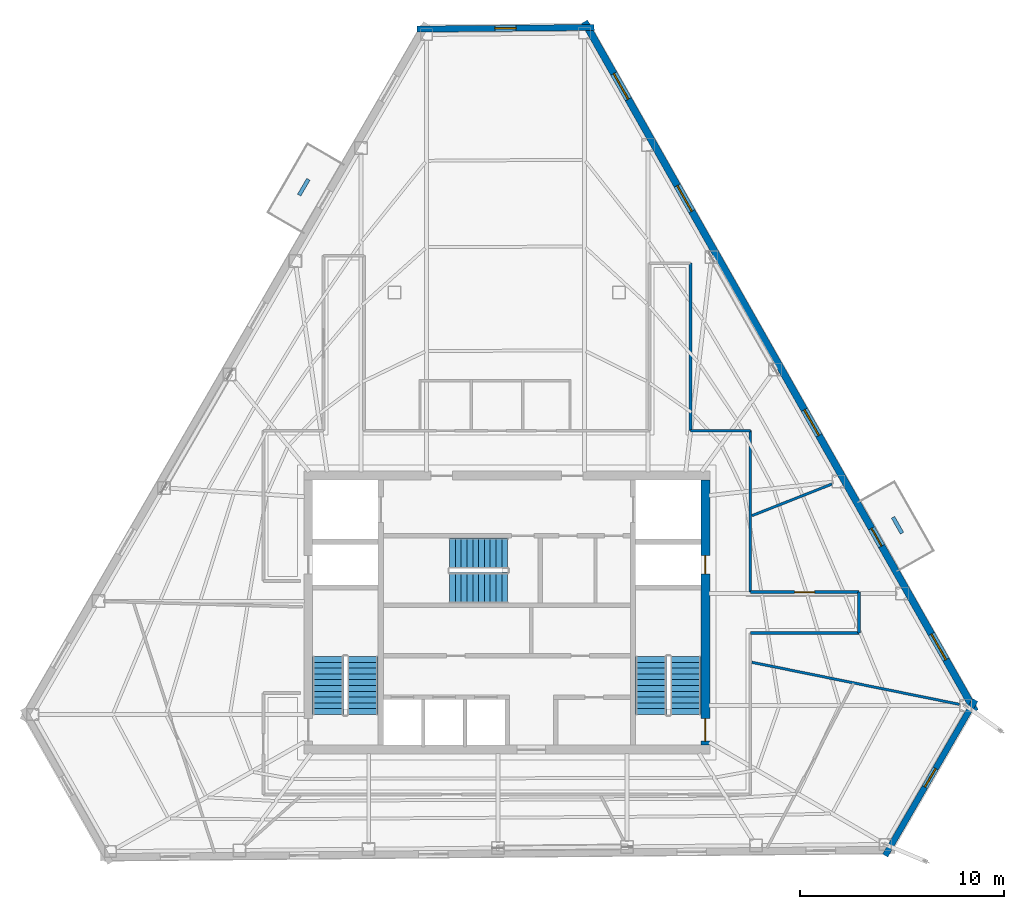
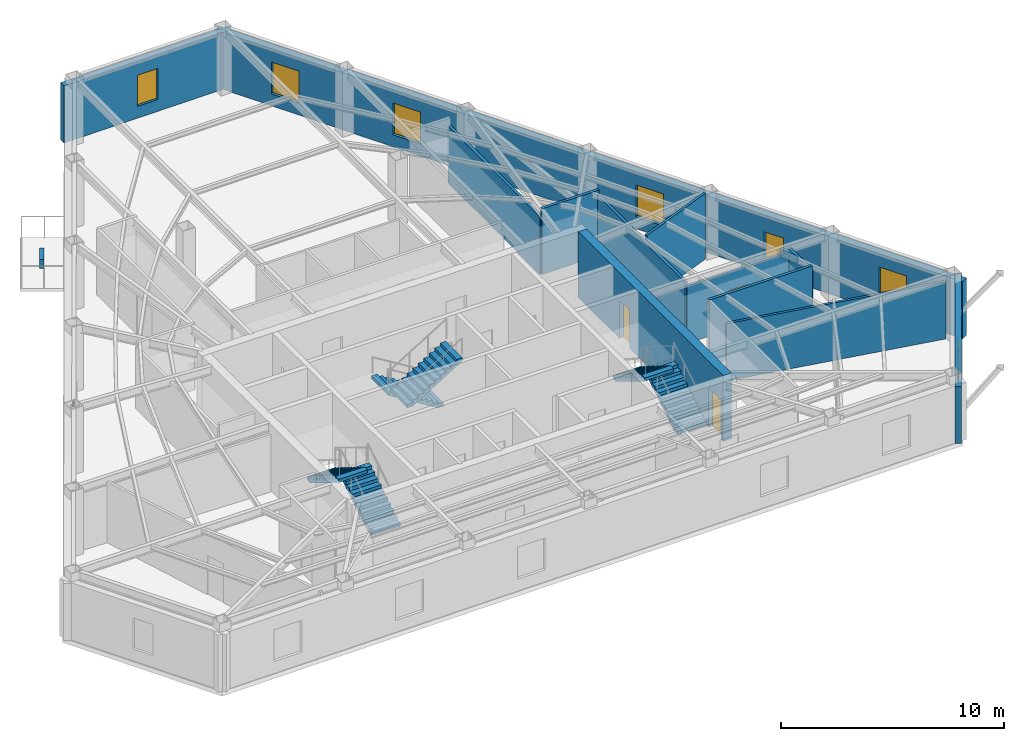
# One storey, part 8 of 10: 14 walls, 6 stair flights, 6 windows, 4 doors, 10 openings, 3 elements without a shape of their own.
"""IFC4 building model written with IfcOpenShell, lengths in metres."""

import ifcopenshell
import ifcopenshell.guid

model = None  # the IFC model being written
_history = None  # IfcOwnerHistory: only IFC2X3 demands one
_inside = {}  # id of a spatial element -> (the spatial element, [elements in it])
_under = {}  # id of a project, library or spatial element -> (it, [spatial elements below it])
_declared = {}  # id of a project -> (the project, [libraries it declares])
_typed = {}  # id of a type object -> (the type object, [elements of that type])
_made_of = {}  # id of a material, layer set ... -> (it, [elements and type objects made of it])


def new_model(schema):
    """Start an empty IFC model of exactly this schema.

    Asked for "IFC4X3", IfcOpenShell would pick the latest addendum, in which some entities
    have other attributes; the version numbers below select the first issue.
    IFC2X3 requires an IfcOwnerHistory on every rooted entity: one is made here for all.
    """
    global model, _history
    if schema == "IFC4X3":
        model = ifcopenshell.file(schema_version=(4, 3, 0, 0))
    else:
        model = ifcopenshell.file(schema=schema)
    _inside.clear()
    _under.clear()
    _declared.clear()
    _typed.clear()
    _made_of.clear()
    _history = None
    if model.schema == "IFC2X3":
        org = make("IfcOrganization", Name="unknown")
        user = make(
            "IfcPersonAndOrganization",
            ThePerson=make("IfcPerson", FamilyName="unknown"),
            TheOrganization=org,
        )
        app = make(
            "IfcApplication",
            ApplicationDeveloper=org,
            Version="unknown",
            ApplicationFullName="unknown",
            ApplicationIdentifier="unknown",
        )
        _history = make(
            "IfcOwnerHistory",
            OwningUser=user,
            OwningApplication=app,
            ChangeAction="ADDED",
            CreationDate=0,
        )
    return model


def make(cls, **values):
    """One entity of the class cls with the attributes given. An attribute that is None is left unset."""
    return model.create_entity(
        cls, **{name: value for name, value in values.items() if value is not None}
    )


def rooted(cls, **values):
    """An entity with a GlobalId (a new one), such as an element, a storey or a relation."""
    return make(cls, GlobalId=ifcopenshell.guid.new(), OwnerHistory=_history, **values)


def si_unit(unit_type, name, prefix=None):
    """IfcSIUnit, for example si_unit("LENGTHUNIT", "METRE", prefix="MILLI")."""
    return make("IfcSIUnit", UnitType=unit_type, Prefix=prefix, Name=name)


def assignment(units):
    """IfcUnitAssignment: the units of a project."""
    return None if units is None else make("IfcUnitAssignment", Units=units)


def point(xyz):
    """IfcCartesianPoint."""
    return None if xyz is None else make("IfcCartesianPoint", Coordinates=xyz)


def direction(xyz):
    """IfcDirection."""
    return None if xyz is None else make("IfcDirection", DirectionRatios=xyz)


def frame(location, z_axis=None, x_axis=None):
    """IfcAxis2Placement3D, a coordinate frame: its origin and axes. An axis left out is left unset."""
    return make(
        "IfcAxis2Placement3D",
        Location=point(location),
        Axis=direction(z_axis),
        RefDirection=direction(x_axis),
    )


def frame_2d(location, x_axis=None):
    """IfcAxis2Placement2D, a coordinate frame in the plane: its origin and x axis."""
    return make(
        "IfcAxis2Placement2D", Location=point(location), RefDirection=direction(x_axis)
    )


def origin():
    """The frame at (0, 0, 0) with its axes left unset."""
    return frame((0.0, 0.0, 0.0))


def place(relative_to, where):
    """IfcLocalPlacement: puts the frame where relative to a parent placement (None: the world)."""
    return make(
        "IfcLocalPlacement", PlacementRelTo=relative_to, RelativePlacement=where
    )


def context(
    kind, dimensions, precision=None, world=None, true_north=None, identifier=None
):
    """IfcGeometricRepresentationContext, for example the 3D "Model" context."""
    return make(
        "IfcGeometricRepresentationContext",
        ContextIdentifier=identifier,
        ContextType=kind,
        CoordinateSpaceDimension=dimensions,
        Precision=precision,
        WorldCoordinateSystem=world,
        TrueNorth=true_north,
    )


def subcontext(parent, identifier, kind, view, scale=None):
    """IfcGeometricRepresentationSubContext, for example "Body" below "Model"."""
    return make(
        "IfcGeometricRepresentationSubContext",
        ContextIdentifier=identifier,
        ContextType=kind,
        ParentContext=parent,
        TargetScale=scale,
        TargetView=view,
    )


def project(units=None, contexts=None):
    """IfcProject with its units and contexts."""
    return rooted(
        "IfcProject",
        Name="project",
        RepresentationContexts=contexts,
        UnitsInContext=assignment(units),
    )


def spatial(cls, under=None, at=None, **own):
    """A site, building, storey or space (cls), placed at a placement, below another one or the project."""
    s = rooted(cls, ObjectPlacement=at, **own)
    if under is not None:
        _under.setdefault(under.id(), (under, []))[1].append(s)
    return s


def polyline(points):
    """IfcPolyline through the points."""
    return make("IfcPolyline", Points=[point(p) for p in points])


def profile(cls, at=None, kind="AREA", **sizes):
    """A parametric profile (cls). Its sizes go by their IFC names, for example OverallWidth=200.0."""
    return make(cls, ProfileType=kind, Position=at, **sizes)


def rectangle(**sizes):
    """IfcRectangleProfileDef."""
    return profile("IfcRectangleProfileDef", **sizes)


def outline(outer, holes=None, kind="AREA"):
    """IfcArbitraryClosedProfileDef: a profile drawn as a closed curve; with holes, ...WithVoids."""
    if holes is None:
        return make("IfcArbitraryClosedProfileDef", ProfileType=kind, OuterCurve=outer)
    return make(
        "IfcArbitraryProfileDefWithVoids",
        ProfileType=kind,
        OuterCurve=outer,
        InnerCurves=holes,
    )


def extrude(swept, where, along, depth):
    """IfcExtrudedAreaSolid: the profile swept, set in the frame where, extruded along a direction by depth."""
    return make(
        "IfcExtrudedAreaSolid",
        SweptArea=swept,
        Position=where,
        ExtrudedDirection=direction(along),
        Depth=depth,
    )


def shape(context_of_items, identifier, shape_type, items):
    """IfcShapeRepresentation: the items that make up one representation, for example the "Body"."""
    return make(
        "IfcShapeRepresentation",
        ContextOfItems=context_of_items,
        RepresentationIdentifier=identifier,
        RepresentationType=shape_type,
        Items=items,
    )


def material(Name=None, Category=None):
    """IfcMaterial."""
    return make("IfcMaterial", Name=Name, Category=Category)


def layer(
    of_material, thickness, ventilated=None, Name=None, Category=None, Priority=None
):
    """IfcMaterialLayer: one layer of a wall or slab, of a material (None: an air gap)."""
    return make(
        "IfcMaterialLayer",
        Material=of_material,
        LayerThickness=thickness,
        IsVentilated=ventilated,
        Name=Name,
        Category=Category,
        Priority=Priority,
    )


def layer_set(layers, Name=None):
    """IfcMaterialLayerSet."""
    return make("IfcMaterialLayerSet", MaterialLayers=layers, LayerSetName=Name)


def made_of(thing, what):
    """Note that an element or type object is made of a material, layer set ...; save() writes the relation."""
    if what is not None:
        _made_of.setdefault(what.id(), (what, []))[1].append(thing)
    return thing


def type_object(cls, material=None, **own):
    """A type object (cls), such as IfcWallType, which elements share."""
    return made_of(rooted(cls, **own), material)


def element(
    cls,
    number,
    at=None,
    inside=None,
    cuts=None,
    type_object=None,
    material=None,
    context=None,
    identifier="Body",
    shape_type=None,
    held_by="IfcProductDefinitionShape",
    body=None,
    shapes=None,
    **own,
):
    """One element of the class cls, such as IfcWall. Its Tag is "e" and its number.

    at: its placement. inside: the storey or other place that contains it. cuts: it is an
    opening in that element (IfcRelVoidsElement). A single representation is given by context,
    identifier, shape_type and body (its items); several are given by shapes. held_by: the class
    of the entity that holds the representations. save() writes the other relations.
    """
    e = rooted(cls, Tag="e%d" % number, ObjectPlacement=at, **own)
    if body is not None:
        shapes = [shape(context, identifier, shape_type, body)]
    if shapes is not None:
        e.Representation = make(held_by, Representations=shapes)
    if inside is not None:
        _inside.setdefault(inside.id(), (inside, []))[1].append(e)
    if cuts is not None:
        rooted(
            "IfcRelVoidsElement", RelatingBuildingElement=cuts, RelatedOpeningElement=e
        )
    if type_object is not None:
        _typed.setdefault(type_object.id(), (type_object, []))[1].append(e)
    return made_of(e, material)


def fill(opening, filler):
    """IfcRelFillsElement: the door or window that sits in an opening."""
    return rooted(
        "IfcRelFillsElement",
        RelatingOpeningElement=opening,
        RelatedBuildingElement=filler,
    )


def aggregate(whole, parts):
    """IfcRelAggregates: a whole, such as a stair, and the parts it consists of."""
    return rooted("IfcRelAggregates", RelatingObject=whole, RelatedObjects=parts)


def save(model, path):
    """Write the relations noted so far, then the file.

    IfcRelAggregates (storeys below a building ...), IfcRelContainedInSpatialStructure (elements
    in a storey), IfcRelDefinesByType, IfcRelAssociatesMaterial and IfcRelDeclares: one each for
    every whole, place, type object, material and project.
    """
    for whole, parts in _under.values():
        aggregate(whole, parts)
    for where, things in _inside.values():
        rooted(
            "IfcRelContainedInSpatialStructure",
            RelatedElements=things,
            RelatingStructure=where,
        )
    for kind, things in _typed.values():
        rooted("IfcRelDefinesByType", RelatedObjects=things, RelatingType=kind)
    for what, things in _made_of.values():
        rooted("IfcRelAssociatesMaterial", RelatedObjects=things, RelatingMaterial=what)
    for by, libraries in _declared.values():
        rooted("IfcRelDeclares", RelatingContext=by, RelatedDefinitions=libraries)
    model.write(path)


model = new_model("IFC4")

# Units and contexts
model_context = context("Model", 3, precision=1e-05, world=origin(), true_north=direction((0.0, 1.0)))
body_context = subcontext(model_context, "Body", "Model", "MODEL_VIEW")
ifc_project = project(units=[si_unit("LENGTHUNIT", "METRE"), si_unit("AREAUNIT", "SQUARE_METRE"), si_unit("VOLUMEUNIT", "CUBIC_METRE"), si_unit("PLANEANGLEUNIT", "RADIAN"), si_unit("MASSUNIT", "GRAM", prefix="KILO")], contexts=[model_context])

# Site, building, storey
site_placement = place(None, origin())
site = spatial("IfcSite", under=ifc_project, at=site_placement, CompositionType="ELEMENT")
building_placement = place(site_placement, origin())
building = spatial("IfcBuilding", under=site, at=building_placement, Name="Kavelnor Concourse Tower", CompositionType="ELEMENT")
storey_placement = place(building_placement, frame((0.0, 0.0, 222.75)))
storey = spatial("IfcBuildingStorey", under=building, at=storey_placement, Name="L56", CompositionType="ELEMENT", Elevation=222.75)

# Wall, openings, doors
ifc_material_1 = material(Name="Concrete C50/60", Category="concrete")
ifc_layer_1 = layer(ifc_material_1, 0.43994140625, Name="Concrete C50/60")
ifc_layer_set_1 = layer_set([ifc_layer_1], Name="Concrete C50/60")
wall_type_1 = type_object("IfcWallType", Name="WL-CORE-Z3-440", PredefinedType="SOLIDWALL", material=ifc_layer_set_1)
wall_1_placement = place(storey_placement, frame((47.739990234375, 9.60009765625, 0.0), z_axis=(0.0, 0.0, 1.0), x_axis=(0.0, 1.0, 0.0)))
wall_1 = element("IfcWall", 1, at=wall_1_placement, inside=storey, type_object=wall_type_1, Name="L56 Central Core East Shear Wall", PredefinedType="SOLIDWALL", context=body_context, shape_type="SweptSolid", body=[
    extrude(rectangle(XDim=13.0, YDim=0.43994140625, at=frame_2d((6.5, 0.0))), origin(), (0.0, 0.0, 1.0), 3.60009765625),
])
opening_1_placement = place(wall_1_placement, frame((0.199951171875, 0.0, 0.0)))
opening_1 = element("IfcOpeningElement", 2, at=opening_1_placement, cuts=wall_1, Name="Opening FD-110", PredefinedType="OPENING", context=body_context, shape_type="SweptSolid", body=[
    extrude(rectangle(XDim=1.10009765625, YDim=2.14990234375, at=frame_2d((0.550048828125, 1.074951171875))), frame((0.0, 0.22998046875, 0.0), z_axis=(0.0, -1.0, 0.0), x_axis=(1.0, 0.0, 0.0)), (0.0, 0.0, 1.0), 0.4599609375),
])
opening_2_placement = place(wall_1_placement, frame((8.39990234375, 0.0, 0.0)))
opening_2 = element("IfcOpeningElement", 3, at=opening_2_placement, cuts=wall_1, Name="Opening FD-090", PredefinedType="OPENING", context=body_context, shape_type="SweptSolid", body=[
    extrude(rectangle(XDim=0.89990234375, YDim=2.10009765625, at=frame_2d((0.449951171875, 1.050048828125))), frame((0.0, 0.22998046875, 0.0), z_axis=(0.0, -1.0, 0.0), x_axis=(1.0, 0.0, 0.0)), (0.0, 0.0, 1.0), 0.4599609375),
])
ifc_material_2 = material(Name="Steel Grade 350", Category="steel")
door_type_1 = type_object("IfcDoorType", Name="DR-RISER-FIRE-900", OperationType="NOTDEFINED", PredefinedType="DOOR", material=ifc_material_2)
door_1_placement = place(opening_2_placement, origin())
door_1 = element("IfcDoor", 4, at=door_1_placement, inside=storey, type_object=door_type_1, Name="L56 East Riser Access Door", OperationType="SINGLE_SWING_LEFT", OverallHeight=2.10009765625, OverallWidth=0.89990234375, PredefinedType="DOOR", context=body_context, shape_type="SweptSolid", body=[
    extrude(rectangle(XDim=0.89990234375, YDim=2.10009765625, at=frame_2d((0.449951171875, 1.050048828125))), frame((0.0, 0.02490234375, 0.0), z_axis=(0.0, -1.0, 0.0), x_axis=(1.0, 0.0, 0.0)), (0.0, 0.0, 1.0), 0.050048828125),
])
fill(opening_2, door_1)
door_type_2 = type_object("IfcDoorType", Name="DR-STAIR-FIRE-1100", OperationType="NOTDEFINED", PredefinedType="DOOR", material=ifc_material_2)
door_2_placement = place(opening_1_placement, origin())
door_2 = element("IfcDoor", 5, at=door_2_placement, inside=storey, type_object=door_type_2, Name="L56 Stair ST2 Fire Door", OperationType="SINGLE_SWING_RIGHT", OverallHeight=2.14990234375, OverallWidth=1.10009765625, PredefinedType="DOOR", context=body_context, shape_type="SweptSolid", body=[
    extrude(rectangle(XDim=1.10009765625, YDim=2.14990234375, at=frame_2d((0.550048828125, 1.074951171875))), frame((0.0, 0.02490234375, 0.0), z_axis=(0.0, -1.0, 0.0), x_axis=(1.0, 0.0, 0.0)), (0.0, 0.0, 1.0), 0.050048828125),
])
fill(opening_1, door_2)

# Wall, opening, window
ifc_material_3 = material(Name="Buff ironspot clay face brick masonry", Category="masonry")
ifc_layer_2 = layer(ifc_material_3, 0.300048828125, Name="Buff ironspot clay face brick masonry")
ifc_layer_set_2 = layer_set([ifc_layer_2], Name="Buff ironspot clay face brick masonry")
wall_type_2 = type_object("IfcWallType", Name="WL-EXT-BUFF-BRICK-FOLD-300", PredefinedType="STANDARD", material=ifc_layer_set_2)
wall_2_placement = place(storey_placement, frame((33.583740234375, 44.720703125, 0.0), z_axis=(0.0, 0.0, 1.0), x_axis=(0.999957419085, 0.009228218538, 0.0)))
wall_2 = element("IfcWall", 6, at=wall_2_placement, inside=storey, type_object=wall_type_2, Name="L56 Exterior Brick Facade Wall E0", PredefinedType="STANDARD", context=body_context, shape_type="SweptSolid", body=[
    extrude(rectangle(XDim=8.7041015625, YDim=0.300048828125, at=frame_2d((4.35205078125, 0.0))), origin(), (0.0, 0.0, 1.0), 3.132080078125),
])
opening_3_placement = place(wall_2_placement, frame((3.826904296875, 0.0, 0.64990234375)))
opening_3 = element("IfcOpeningElement", 7, at=opening_3_placement, cuts=wall_2, Name="Opening W-06", PredefinedType="OPENING", context=body_context, shape_type="SweptSolid", body=[
    extrude(rectangle(XDim=1.050048828125, YDim=1.699951171875, at=frame_2d((0.52490234375, 0.85009765625))), frame((0.0, 0.16015625, 0.0), z_axis=(0.0, -1.0, 0.0), x_axis=(1.0, 0.0, 0.0)), (0.0, 0.0, 1.0), 0.320068359375),
])
ifc_material_4 = material(Name="Double low-E argon insulated glazing", Category="glass")
window_type_1 = type_object("IfcWindowType", Name="WIN-FOLD-1050", PartitioningType="SINGLE_PANEL", PredefinedType="WINDOW", material=ifc_material_4)
window_1_placement = place(opening_3_placement, origin())
window_1 = element("IfcWindow", 8, at=window_1_placement, inside=storey, type_object=window_type_1, Name="L56 Chamfer-Fold Facet Window C0", OverallHeight=1.699951171875, OverallWidth=1.050048828125, PartitioningType="SINGLE_PANEL", PredefinedType="WINDOW", context=body_context, shape_type="SweptSolid", body=[
    extrude(rectangle(XDim=1.050048828125, YDim=1.699951171875, at=frame_2d((0.52490234375, 0.85009765625))), frame((0.0, 0.030029296875, 0.0), z_axis=(0.0, -1.0, 0.0), x_axis=(1.0, 0.0, 0.0)), (0.0, 0.0, 1.0), 0.06005859375),
])
fill(opening_3, window_1)

wall_3_placement = place(storey_placement, frame((60.9765625, 11.814697265625, 0.0), z_axis=(0.0, 0.0, 1.0), x_axis=(-0.501119216376, -0.865378258901, 0.0)))
wall_3 = element("IfcWall", 9, at=wall_3_placement, inside=storey, type_object=wall_type_2, Name="L56 Exterior Brick Facade Wall E4", PredefinedType="STANDARD", context=body_context, shape_type="SweptSolid", body=[
    extrude(rectangle(XDim=8.817626953125, YDim=0.300048828125, at=frame_2d((4.40869140625, 0.0))), origin(), (0.0, 0.0, 1.0), 3.132080078125),
])
opening_4_placement = place(wall_3_placement, frame((3.8837890625, 0.0, 0.64990234375)))
opening_4 = element("IfcOpeningElement", 10, at=opening_4_placement, cuts=wall_3, Name="Opening W-06", PredefinedType="OPENING", context=body_context, shape_type="SweptSolid", body=[
    extrude(rectangle(XDim=1.050048828125, YDim=1.699951171875, at=frame_2d((0.52490234375, 0.85009765625))), frame((0.0, 0.16015625, 0.0), z_axis=(0.0, -1.0, 0.0), x_axis=(1.0, 0.0, 0.0)), (0.0, 0.0, 1.0), 0.320068359375),
])
window_2_placement = place(opening_4_placement, origin())
window_2 = element("IfcWindow", 11, at=window_2_placement, inside=storey, type_object=window_type_1, Name="L56 Chamfer-Fold Facet Window C2", OverallHeight=1.699951171875, OverallWidth=1.050048828125, PartitioningType="SINGLE_PANEL", PredefinedType="WINDOW", context=body_context, shape_type="SweptSolid", body=[
    extrude(rectangle(XDim=1.050048828125, YDim=1.699951171875, at=frame_2d((0.52490234375, 0.85009765625))), frame((0.0, 0.030029296875, 0.0), z_axis=(0.0, -1.0, 0.0), x_axis=(1.0, 0.0, 0.0)), (0.0, 0.0, 1.0), 0.06005859375),
])
fill(opening_4, window_2)

# Wall, openings, door, windows
ifc_material_5 = material(Name="Red-ochre clay face brick masonry", Category="masonry")
ifc_layer_3 = layer(ifc_material_5, 0.35009765625, Name="Red-ochre clay face brick masonry")
ifc_layer_set_3 = layer_set([ifc_layer_3], Name="Red-ochre clay face brick masonry")
wall_type_3 = type_object("IfcWallType", Name="WL-EXT-RED-BRICK-PIER-350", PredefinedType="STANDARD", material=ifc_layer_set_3)
wall_4_placement = place(storey_placement, frame((41.80419921875, 45.07958984375, 0.0), z_axis=(0.0, 0.0, 1.0), x_axis=(0.493108750239, -0.869967677812, 0.0)))
wall_4 = element("IfcWall", 12, at=wall_4_placement, inside=storey, type_object=wall_type_3, Name="L56 Exterior Brick Facade Wall E5", PredefinedType="STANDARD", context=body_context, shape_type="SweptSolid", body=[
    extrude(rectangle(XDim=38.875732421875, YDim=0.35009765625, at=frame_2d((19.43798828125, 0.0))), origin(), (0.0, 0.0, 1.0), 3.132080078125),
])
opening_5_placement = place(wall_4_placement, frame((28.556640625, 0.0, 0.0)))
opening_5 = element("IfcOpeningElement", 13, at=opening_5_placement, cuts=wall_4, Name="Opening BD-100", PredefinedType="OPENING", context=body_context, shape_type="SweptSolid", body=[
    extrude(rectangle(XDim=1.0, YDim=2.199951171875, at=frame_2d((0.5, 1.10009765625))), frame((0.0, 0.18505859375, 0.0), z_axis=(0.0, -1.0, 0.0), x_axis=(1.0, 0.0, 0.0)), (0.0, 0.0, 1.0), 0.3701171875),
])
opening_6_placement = place(wall_4_placement, frame((34.515625, 0.0, 0.64990234375)))
opening_6 = element("IfcOpeningElement", 14, at=opening_6_placement, cuts=wall_4, Name="Opening W-03", PredefinedType="OPENING", context=body_context, shape_type="SweptSolid", body=[
    extrude(rectangle(XDim=1.449951171875, YDim=1.75, at=frame_2d((0.72509765625, 0.875))), frame((0.0, 0.18505859375, 0.0), z_axis=(0.0, -1.0, 0.0), x_axis=(1.0, 0.0, 0.0)), (0.0, 0.0, 1.0), 0.3701171875),
])
opening_7_placement = place(wall_4_placement, frame((21.87646484375, 0.0, 0.64990234375)))
opening_7 = element("IfcOpeningElement", 15, at=opening_7_placement, cuts=wall_4, Name="Opening W-03", PredefinedType="OPENING", context=body_context, shape_type="SweptSolid", body=[
    extrude(rectangle(XDim=1.449951171875, YDim=1.75, at=frame_2d((0.72509765625, 0.875))), frame((0.0, 0.18505859375, 0.0), z_axis=(0.0, -1.0, 0.0), x_axis=(1.0, 0.0, 0.0)), (0.0, 0.0, 1.0), 0.3701171875),
])
opening_8_placement = place(wall_4_placement, frame((9.237060546875, 0.0, 0.64990234375)))
opening_8 = element("IfcOpeningElement", 16, at=opening_8_placement, cuts=wall_4, Name="Opening W-03", PredefinedType="OPENING", context=body_context, shape_type="SweptSolid", body=[
    extrude(rectangle(XDim=1.449951171875, YDim=1.75, at=frame_2d((0.72509765625, 0.875))), frame((0.0, 0.18505859375, 0.0), z_axis=(0.0, -1.0, 0.0), x_axis=(1.0, 0.0, 0.0)), (0.0, 0.0, 1.0), 0.3701171875),
])
opening_9_placement = place(wall_4_placement, frame((2.91748046875, 0.0, 0.64990234375)))
opening_9 = element("IfcOpeningElement", 17, at=opening_9_placement, cuts=wall_4, Name="Opening W-03", PredefinedType="OPENING", context=body_context, shape_type="SweptSolid", body=[
    extrude(rectangle(XDim=1.449951171875, YDim=1.75, at=frame_2d((0.72509765625, 0.875))), frame((0.0, 0.18505859375, 0.0), z_axis=(0.0, -1.0, 0.0), x_axis=(1.0, 0.0, 0.0)), (0.0, 0.0, 1.0), 0.3701171875),
])
ifc_material_6 = material(Name="Anodised aluminium 6063-T6", Category="aluminium")
door_type_3 = type_object("IfcDoorType", Name="DR-BALCONY-EXT-1000", OperationType="NOTDEFINED", PredefinedType="DOOR", material=ifc_material_6)
door_3_placement = place(opening_5_placement, origin())
door_3 = element("IfcDoor", 18, at=door_3_placement, inside=storey, type_object=door_type_3, Name="L56 Tree Balcony 1 Glazed Door", OperationType="SINGLE_SWING_LEFT", OverallHeight=2.199951171875, OverallWidth=1.0, PredefinedType="DOOR", context=body_context, shape_type="SweptSolid", body=[
    extrude(rectangle(XDim=1.0, YDim=2.199951171875, at=frame_2d((0.5, 1.10009765625))), frame((0.0, 0.02490234375, 0.0), z_axis=(0.0, -1.0, 0.0), x_axis=(1.0, 0.0, 0.0)), (0.0, 0.0, 1.0), 0.050048828125),
])
fill(opening_5, door_3)
window_type_2 = type_object("IfcWindowType", Name="WIN-PIER-Z3-1500", PartitioningType="SINGLE_PANEL", PredefinedType="WINDOW", material=ifc_material_4)
window_3_placement = place(opening_6_placement, origin())
window_3 = element("IfcWindow", 19, at=window_3_placement, inside=storey, type_object=window_type_2, Name="L56 Deep-Set Brick Pier Window F2-B0", OverallHeight=1.75, OverallWidth=1.449951171875, PartitioningType="SINGLE_PANEL", PredefinedType="WINDOW", context=body_context, shape_type="SweptSolid", body=[
    extrude(rectangle(XDim=1.449951171875, YDim=1.75, at=frame_2d((0.72509765625, 0.875))), frame((0.0, 0.030029296875, 0.0), z_axis=(0.0, -1.0, 0.0), x_axis=(1.0, 0.0, 0.0)), (0.0, 0.0, 1.0), 0.06005859375),
])
fill(opening_6, window_3)
window_4_placement = place(opening_7_placement, origin())
window_4 = element("IfcWindow", 20, at=window_4_placement, inside=storey, type_object=window_type_2, Name="L56 Deep-Set Brick Pier Window F2-B2", OverallHeight=1.75, OverallWidth=1.449951171875, PartitioningType="SINGLE_PANEL", PredefinedType="WINDOW", context=body_context, shape_type="SweptSolid", body=[
    extrude(rectangle(XDim=1.449951171875, YDim=1.75, at=frame_2d((0.72509765625, 0.875))), frame((0.0, 0.030029296875, 0.0), z_axis=(0.0, -1.0, 0.0), x_axis=(1.0, 0.0, 0.0)), (0.0, 0.0, 1.0), 0.06005859375),
])
fill(opening_7, window_4)
window_5_placement = place(opening_8_placement, origin())
window_5 = element("IfcWindow", 21, at=window_5_placement, inside=storey, type_object=window_type_2, Name="L56 Deep-Set Brick Pier Window F2-B4", OverallHeight=1.75, OverallWidth=1.449951171875, PartitioningType="SINGLE_PANEL", PredefinedType="WINDOW", context=body_context, shape_type="SweptSolid", body=[
    extrude(rectangle(XDim=1.449951171875, YDim=1.75, at=frame_2d((0.72509765625, 0.875))), frame((0.0, 0.030029296875, 0.0), z_axis=(0.0, -1.0, 0.0), x_axis=(1.0, 0.0, 0.0)), (0.0, 0.0, 1.0), 0.06005859375),
])
fill(opening_8, window_5)
window_6_placement = place(opening_9_placement, origin())
window_6 = element("IfcWindow", 22, at=window_6_placement, inside=storey, type_object=window_type_2, Name="L56 Deep-Set Brick Pier Window F2-B5", OverallHeight=1.75, OverallWidth=1.449951171875, PartitioningType="SINGLE_PANEL", PredefinedType="WINDOW", context=body_context, shape_type="SweptSolid", body=[
    extrude(rectangle(XDim=1.449951171875, YDim=1.75, at=frame_2d((0.72509765625, 0.875))), frame((0.0, 0.030029296875, 0.0), z_axis=(0.0, -1.0, 0.0), x_axis=(1.0, 0.0, 0.0)), (0.0, 0.0, 1.0), 0.06005859375),
])
fill(opening_9, window_6)

# Walls
ifc_material_7 = material(Name="Gypsum plasterboard on light-gauge steel studs", Category="steel")
ifc_layer_4 = layer(ifc_material_7, 0.14501953125, Name="Gypsum plasterboard on light-gauge steel studs")
ifc_layer_set_4 = layer_set([ifc_layer_4], Name="Gypsum plasterboard on light-gauge steel studs")
wall_type_4 = type_object("IfcWallType", Name="WL-INT-CORR-145", PredefinedType="PARTITIONING", material=ifc_layer_set_4)
wall_5_placement = place(storey_placement, frame((47.0, 33.235595703125, 0.0), z_axis=(0.0, 0.0, 1.0), x_axis=(0.0, -1.0, 0.0)))
element("IfcWall", 23, at=wall_5_placement, inside=storey, type_object=wall_type_4, Name="L56 Corridor Wall WL-L56-CR-10", PredefinedType="PARTITIONING", context=body_context, shape_type="SweptSolid", body=[
    extrude(rectangle(XDim=8.215576171875, YDim=0.14501953125, at=frame_2d((4.10791015625, 0.0))), origin(), (0.0, 0.0, 1.0), 3.14111328125),
])
wall_6_placement = place(storey_placement, frame((47.0, 25.02001953125, 0.0), z_axis=(0.0, 0.0, 1.0), x_axis=(1.0, 0.0, 0.0)))
element("IfcWall", 24, at=wall_6_placement, inside=storey, type_object=wall_type_4, Name="L56 Corridor Wall WL-L56-CR-11", PredefinedType="PARTITIONING", context=body_context, shape_type="SweptSolid", body=[
    extrude(rectangle(XDim=2.93994140625, YDim=0.14501953125, at=frame_2d((1.469970703125, 0.0))), origin(), (0.0, 0.0, 1.0), 3.60009765625),
])
wall_7_placement = place(storey_placement, frame((49.93994140625, 25.02001953125, 0.0), z_axis=(0.0, 0.0, 1.0), x_axis=(0.0, -1.0, 0.0)))
element("IfcWall", 25, at=wall_7_placement, inside=storey, type_object=wall_type_4, Name="L56 Corridor Wall WL-L56-CR-12", PredefinedType="PARTITIONING", context=body_context, shape_type="SweptSolid", body=[
    extrude(rectangle(XDim=7.919921875, YDim=0.14501953125, at=frame_2d((3.9599609375, 0.0))), origin(), (0.0, 0.0, 1.0), 3.339111328125),
])

# Wall, opening, door
wall_8_placement = place(storey_placement, frame((49.93994140625, 17.10009765625, 0.0), z_axis=(0.0, 0.0, 1.0), x_axis=(1.0, 0.0, 0.0)))
wall_8 = element("IfcWall", 26, at=wall_8_placement, inside=storey, type_object=wall_type_4, Name="L56 Corridor Wall WL-L56-CR-13", PredefinedType="PARTITIONING", context=body_context, shape_type="SweptSolid", body=[
    extrude(rectangle(XDim=5.339599609375, YDim=0.14501953125, at=frame_2d((2.669921875, 0.0))), origin(), (0.0, 0.0, 1.0), 3.14111328125),
])
opening_10_placement = place(wall_8_placement, frame((2.1796875, 0.0, 0.0)))
opening_10 = element("IfcOpeningElement", 27, at=opening_10_placement, cuts=wall_8, Name="Opening OD-098", PredefinedType="OPENING", context=body_context, shape_type="SweptSolid", body=[
    extrude(rectangle(XDim=0.97998046875, YDim=2.14990234375, at=frame_2d((0.489990234375, 1.074951171875))), frame((0.0, 0.08251953125, 0.0), z_axis=(0.0, -1.0, 0.0), x_axis=(1.0, 0.0, 0.0)), (0.0, 0.0, 1.0), 0.1650390625),
])
ifc_material_8 = material(Name="Solid-core hardwood timber", Category="wood")
door_type_4 = type_object("IfcDoorType", Name="DR-OFFICE-980", OperationType="NOTDEFINED", PredefinedType="DOOR", material=ifc_material_8)
door_4_placement = place(opening_10_placement, origin())
door_4 = element("IfcDoor", 28, at=door_4_placement, inside=storey, type_object=door_type_4, Name="L56 Client Concierge 01 Door", OperationType="SINGLE_SWING_RIGHT", OverallHeight=2.14990234375, OverallWidth=0.97998046875, PredefinedType="DOOR", context=body_context, shape_type="SweptSolid", body=[
    extrude(rectangle(XDim=0.97998046875, YDim=2.14990234375, at=frame_2d((0.489990234375, 1.074951171875))), frame((0.0, 0.02490234375, 0.0), z_axis=(0.0, -1.0, 0.0), x_axis=(1.0, 0.0, 0.0)), (0.0, 0.0, 1.0), 0.050048828125),
])
fill(opening_10, door_4)

# Walls
wall_9_placement = place(storey_placement, frame((55.279541015625, 17.10009765625, 0.0), z_axis=(0.0, 0.0, 1.0), x_axis=(0.0, -1.0, 0.0)))
element("IfcWall", 29, at=wall_9_placement, inside=storey, type_object=wall_type_4, Name="L56 Corridor Wall WL-L56-CR-14", PredefinedType="PARTITIONING", context=body_context, shape_type="SweptSolid", body=[
    extrude(rectangle(XDim=2.0, YDim=0.14501953125, at=frame_2d((1.0, 0.0))), origin(), (0.0, 0.0, 1.0), 3.339111328125),
])
wall_10_placement = place(storey_placement, frame((55.279541015625, 15.10009765625, 0.0), z_axis=(0.0, 0.0, 1.0), x_axis=(-1.0, 0.0, 0.0)))
element("IfcWall", 30, at=wall_10_placement, inside=storey, type_object=wall_type_4, Name="L56 Corridor Wall WL-L56-CR-15", PredefinedType="PARTITIONING", context=body_context, shape_type="SweptSolid", body=[
    extrude(rectangle(XDim=5.339599609375, YDim=0.14501953125, at=frame_2d((2.669921875, 0.0))), origin(), (0.0, 0.0, 1.0), 3.60009765625),
])
ifc_layer_5 = layer(ifc_material_7, 0.125, Name="Gypsum plasterboard on light-gauge steel studs")
ifc_layer_set_5 = layer_set([ifc_layer_5], Name="Gypsum plasterboard on light-gauge steel studs")
wall_type_5 = type_object("IfcWallType", Name="WL-INT-SUITE-125", PredefinedType="PARTITIONING", material=ifc_layer_set_5)
wall_11_placement = place(storey_placement, frame((50.0205078125, 20.853515625, 0.0), z_axis=(0.0, 0.0, 1.0), x_axis=(0.929922069696, 0.367756637319, 0.0)))
element("IfcWall", 31, at=wall_11_placement, inside=storey, type_object=wall_type_5, Name="L56 Radial Suite Partition 01", PredefinedType="PARTITIONING", context=body_context, shape_type="SweptSolid", body=[
    extrude(rectangle(XDim=4.219482421875, YDim=0.125, at=frame_2d((2.10986328125, 0.0))), origin(), (0.0, 0.0, 1.0), 3.60009765625),
])
wall_12_placement = place(storey_placement, frame((50.0205078125, 13.663818359375, 0.0), z_axis=(0.0, 0.0, 1.0), x_axis=(0.980078307182, -0.198611459366, 0.0)))
element("IfcWall", 32, at=wall_12_placement, inside=storey, type_object=wall_type_5, Name="L56 Radial Suite Partition 05", PredefinedType="PARTITIONING", context=body_context, shape_type="SweptSolid", body=[
    extrude(rectangle(XDim=10.38330078125, YDim=0.125, at=frame_2d((5.191650390625, 0.0))), origin(), (0.0, 0.0, 1.0), 3.14111328125),
])
ifc_material_9 = material(Name="Architectural precast planter concrete C40/50", Category="concrete")
ifc_layer_6 = layer(ifc_material_9, 0.18994140625, Name="Architectural precast planter concrete C40/50")
ifc_layer_set_6 = layer_set([ifc_layer_6], Name="Architectural precast planter concrete C40/50")
wall_type_6 = type_object("IfcWallType", Name="WL-PLANTER-KERB-190", PredefinedType="USERDEFINED", material=ifc_layer_set_6)
wall_13_placement = place(storey_placement, frame((57.385009765625, 19.993896484375, 0.0), z_axis=(0.0, 0.0, 1.0), x_axis=(-0.492950963654, 0.870057094352, 0.0)))
element("IfcWall", 33, at=wall_13_placement, inside=storey, type_object=wall_type_6, Name="L56 Tree Balcony 1 Tree Planter Kerb", ObjectType="PLANTER", PredefinedType="USERDEFINED", context=body_context, shape_type="SweptSolid", body=[
    extrude(rectangle(XDim=0.89990234375, YDim=0.18994140625, at=frame_2d((0.449951171875, 0.0))), origin(), (0.0, 0.0, 1.0), 0.5),
])
wall_14_placement = place(storey_placement, frame((28.266357421875, 37.353515625, 0.0), z_axis=(0.0, 0.0, 1.0), x_axis=(-0.501271486133, -0.865290065348, 0.0)))
element("IfcWall", 34, at=wall_14_placement, inside=storey, type_object=wall_type_6, Name="L56 Tree Balcony 2 Tree Planter Kerb", ObjectType="PLANTER", PredefinedType="USERDEFINED", context=body_context, shape_type="SweptSolid", body=[
    extrude(rectangle(XDim=0.900146484375, YDim=0.18994140625, at=frame_2d((0.4501953125, 0.0))), origin(), (0.0, 0.0, 1.0), 0.5),
])

# Stair, stair flights
ifc_material_10 = material(Name="Concrete C40/50", Category="concrete")
stair_type = type_object("IfcStairType", Name="STR-CORE-1500", PredefinedType="HALF_TURN_STAIR", material=ifc_material_10)
stair_1_placement = place(storey_placement, origin())
stair_1 = element("IfcStair", 35, at=stair_1_placement, inside=storey, type_object=stair_type, Name="L56 ST1", PredefinedType="HALF_TURN_STAIR")
stair_flight_type = type_object("IfcStairFlightType", Name="STR-FLIGHT-1500", PredefinedType="STRAIGHT", material=ifc_material_10)
stair_flight_1_placement = place(storey_placement, frame((30.929931640625, 11.10009765625, 0.0), z_axis=(0.0, 0.0, 1.0), x_axis=(0.0, 1.0, 0.0)))
stair_flight_1 = element("IfcStairFlight", 36, at=stair_flight_1_placement, type_object=stair_flight_type, Name="ST1 flight 1", NumberOfRisers=11, NumberOfTreads=10, PredefinedType="STRAIGHT", RiserHeight=0.175, TreadLength=0.285, context=body_context, shape_type="SweptSolid", body=[
    extrude(outline(polyline([(0.0, 0.0), (0.0, 0.175048828125), (0.284912109375, 0.175048828125), (0.284912109375, 0.35009765625), (0.570068359375, 0.35009765625), (0.570068359375, 0.52490234375), (0.85498046875, 0.52490234375), (0.85498046875, 0.699951171875), (1.139892578125, 0.699951171875), (1.139892578125, 0.875), (1.425048828125, 0.875), (1.425048828125, 1.050048828125), (1.7099609375, 1.050048828125), (1.7099609375, 1.22509765625), (1.9951171875, 1.22509765625), (1.9951171875, 1.39990234375), (2.280029296875, 1.39990234375), (2.280029296875, 1.574951171875), (2.56494140625, 1.574951171875), (2.56494140625, 1.75), (2.85009765625, 1.75), (2.85009765625, 1.925048828125), (2.85009765625, 1.573974609375), (0.286376953125, 0.0), (0.0, 0.0)])), frame((0.0, 0.75, 0.0), z_axis=(0.0, -1.0, 0.0), x_axis=(1.0, 0.0, 0.0)), (0.0, 0.0, 1.0), 1.5),
])
stair_flight_2_placement = place(storey_placement, frame((29.22998046875, 13.949951171875, 1.925048828125), z_axis=(0.0, 0.0, 1.0), x_axis=(0.0, -1.0, 0.0)))
stair_flight_2 = element("IfcStairFlight", 37, at=stair_flight_2_placement, type_object=stair_flight_type, Name="ST1 flight 2", NumberOfRisers=11, NumberOfTreads=10, PredefinedType="STRAIGHT", RiserHeight=0.175, TreadLength=0.285, context=body_context, shape_type="SweptSolid", body=[
    extrude(outline(polyline([(0.0, 0.0), (0.0, 0.175048828125), (0.284912109375, 0.175048828125), (0.284912109375, 0.35009765625), (0.570068359375, 0.35009765625), (0.570068359375, 0.52490234375), (0.85498046875, 0.52490234375), (0.85498046875, 0.699951171875), (1.139892578125, 0.699951171875), (1.139892578125, 0.875), (1.425048828125, 0.875), (1.425048828125, 1.050048828125), (1.7099609375, 1.050048828125), (1.7099609375, 1.22509765625), (1.9951171875, 1.22509765625), (1.9951171875, 1.39990234375), (2.280029296875, 1.39990234375), (2.280029296875, 1.574951171875), (2.56494140625, 1.574951171875), (2.56494140625, 1.75), (2.85009765625, 1.75), (2.85009765625, 1.925048828125), (2.85009765625, 1.573974609375), (0.286376953125, 0.0), (0.0, 0.0)])), frame((0.0, 0.75, 0.0), z_axis=(0.0, -1.0, 0.0), x_axis=(1.0, 0.0, 0.0)), (0.0, 0.0, 1.0), 1.5),
])
aggregate(stair_1, [stair_flight_1, stair_flight_2])

stair_2_placement = place(storey_placement, origin())
stair_2 = element("IfcStair", 38, at=stair_2_placement, inside=storey, type_object=stair_type, Name="L56 ST2", PredefinedType="HALF_TURN_STAIR")
stair_flight_3_placement = place(storey_placement, frame((46.77001953125, 11.10009765625, 0.0), z_axis=(0.0, 0.0, 1.0), x_axis=(0.0, 1.0, 0.0)))
stair_flight_3 = element("IfcStairFlight", 39, at=stair_flight_3_placement, type_object=stair_flight_type, Name="ST2 flight 1", NumberOfRisers=11, NumberOfTreads=10, PredefinedType="STRAIGHT", RiserHeight=0.175, TreadLength=0.285, context=body_context, shape_type="SweptSolid", body=[
    extrude(outline(polyline([(0.0, 0.0), (0.0, 0.175048828125), (0.284912109375, 0.175048828125), (0.284912109375, 0.35009765625), (0.570068359375, 0.35009765625), (0.570068359375, 0.52490234375), (0.85498046875, 0.52490234375), (0.85498046875, 0.699951171875), (1.139892578125, 0.699951171875), (1.139892578125, 0.875), (1.425048828125, 0.875), (1.425048828125, 1.050048828125), (1.7099609375, 1.050048828125), (1.7099609375, 1.22509765625), (1.9951171875, 1.22509765625), (1.9951171875, 1.39990234375), (2.280029296875, 1.39990234375), (2.280029296875, 1.574951171875), (2.56494140625, 1.574951171875), (2.56494140625, 1.75), (2.85009765625, 1.75), (2.85009765625, 1.925048828125), (2.85009765625, 1.573974609375), (0.286376953125, 0.0), (0.0, 0.0)])), frame((0.0, 0.75, 0.0), z_axis=(0.0, -1.0, 0.0), x_axis=(1.0, 0.0, 0.0)), (0.0, 0.0, 1.0), 1.5),
])
stair_flight_4_placement = place(storey_placement, frame((45.070068359375, 13.949951171875, 1.925048828125), z_axis=(0.0, 0.0, 1.0), x_axis=(0.0, -1.0, 0.0)))
stair_flight_4 = element("IfcStairFlight", 40, at=stair_flight_4_placement, type_object=stair_flight_type, Name="ST2 flight 2", NumberOfRisers=11, NumberOfTreads=10, PredefinedType="STRAIGHT", RiserHeight=0.175, TreadLength=0.285, context=body_context, shape_type="SweptSolid", body=[
    extrude(outline(polyline([(0.0, 0.0), (0.0, 0.175048828125), (0.284912109375, 0.175048828125), (0.284912109375, 0.35009765625), (0.570068359375, 0.35009765625), (0.570068359375, 0.52490234375), (0.85498046875, 0.52490234375), (0.85498046875, 0.699951171875), (1.139892578125, 0.699951171875), (1.139892578125, 0.875), (1.425048828125, 0.875), (1.425048828125, 1.050048828125), (1.7099609375, 1.050048828125), (1.7099609375, 1.22509765625), (1.9951171875, 1.22509765625), (1.9951171875, 1.39990234375), (2.280029296875, 1.39990234375), (2.280029296875, 1.574951171875), (2.56494140625, 1.574951171875), (2.56494140625, 1.75), (2.85009765625, 1.75), (2.85009765625, 1.925048828125), (2.85009765625, 1.573974609375), (0.286376953125, 0.0), (0.0, 0.0)])), frame((0.0, 0.75, 0.0), z_axis=(0.0, -1.0, 0.0), x_axis=(1.0, 0.0, 0.0)), (0.0, 0.0, 1.0), 1.5),
])
aggregate(stair_2, [stair_flight_3, stair_flight_4])

stair_3_placement = place(storey_placement, origin())
stair_3 = element("IfcStair", 41, at=stair_3_placement, inside=storey, type_object=stair_type, Name="L56 ST3", PredefinedType="HALF_TURN_STAIR")
stair_flight_5_placement = place(storey_placement, frame((38.0400390625, 19.010009765625, 0.0), z_axis=(0.0, 0.0, 1.0), x_axis=(-1.0, 0.0, 0.0)))
stair_flight_5 = element("IfcStairFlight", 42, at=stair_flight_5_placement, type_object=stair_flight_type, Name="ST3 flight 1", NumberOfRisers=11, NumberOfTreads=10, PredefinedType="STRAIGHT", RiserHeight=0.175, TreadLength=0.285, context=body_context, shape_type="SweptSolid", body=[
    extrude(outline(polyline([(0.0, 0.0), (0.0, 0.175048828125), (0.284912109375, 0.175048828125), (0.284912109375, 0.35009765625), (0.570068359375, 0.35009765625), (0.570068359375, 0.52490234375), (0.85498046875, 0.52490234375), (0.85498046875, 0.699951171875), (1.139892578125, 0.699951171875), (1.139892578125, 0.875), (1.425048828125, 0.875), (1.425048828125, 1.050048828125), (1.7099609375, 1.050048828125), (1.7099609375, 1.22509765625), (1.9951171875, 1.22509765625), (1.9951171875, 1.39990234375), (2.280029296875, 1.39990234375), (2.280029296875, 1.574951171875), (2.56494140625, 1.574951171875), (2.56494140625, 1.75), (2.85009765625, 1.75), (2.85009765625, 1.925048828125), (2.85009765625, 1.573974609375), (0.286376953125, 0.0), (0.0, 0.0)])), frame((0.0, 0.75, 0.0), z_axis=(0.0, -1.0, 0.0), x_axis=(1.0, 0.0, 0.0)), (0.0, 0.0, 1.0), 1.5),
])
stair_flight_6_placement = place(storey_placement, frame((35.18994140625, 17.31005859375, 1.925048828125), z_axis=(0.0, 0.0, 1.0), x_axis=(1.0, 0.0, 0.0)))
stair_flight_6 = element("IfcStairFlight", 43, at=stair_flight_6_placement, type_object=stair_flight_type, Name="ST3 flight 2", NumberOfRisers=11, NumberOfTreads=10, PredefinedType="STRAIGHT", RiserHeight=0.175, TreadLength=0.285, context=body_context, shape_type="SweptSolid", body=[
    extrude(outline(polyline([(0.0, 0.0), (0.0, 0.175048828125), (0.284912109375, 0.175048828125), (0.284912109375, 0.35009765625), (0.570068359375, 0.35009765625), (0.570068359375, 0.52490234375), (0.85498046875, 0.52490234375), (0.85498046875, 0.699951171875), (1.139892578125, 0.699951171875), (1.139892578125, 0.875), (1.425048828125, 0.875), (1.425048828125, 1.050048828125), (1.7099609375, 1.050048828125), (1.7099609375, 1.22509765625), (1.9951171875, 1.22509765625), (1.9951171875, 1.39990234375), (2.280029296875, 1.39990234375), (2.280029296875, 1.574951171875), (2.56494140625, 1.574951171875), (2.56494140625, 1.75), (2.85009765625, 1.75), (2.85009765625, 1.925048828125), (2.85009765625, 1.573974609375), (0.286376953125, 0.0), (0.0, 0.0)])), frame((0.0, 0.75, 0.0), z_axis=(0.0, -1.0, 0.0), x_axis=(1.0, 0.0, 0.0)), (0.0, 0.0, 1.0), 1.5),
])
aggregate(stair_3, [stair_flight_5, stair_flight_6])

save(model, "model.ifc")
